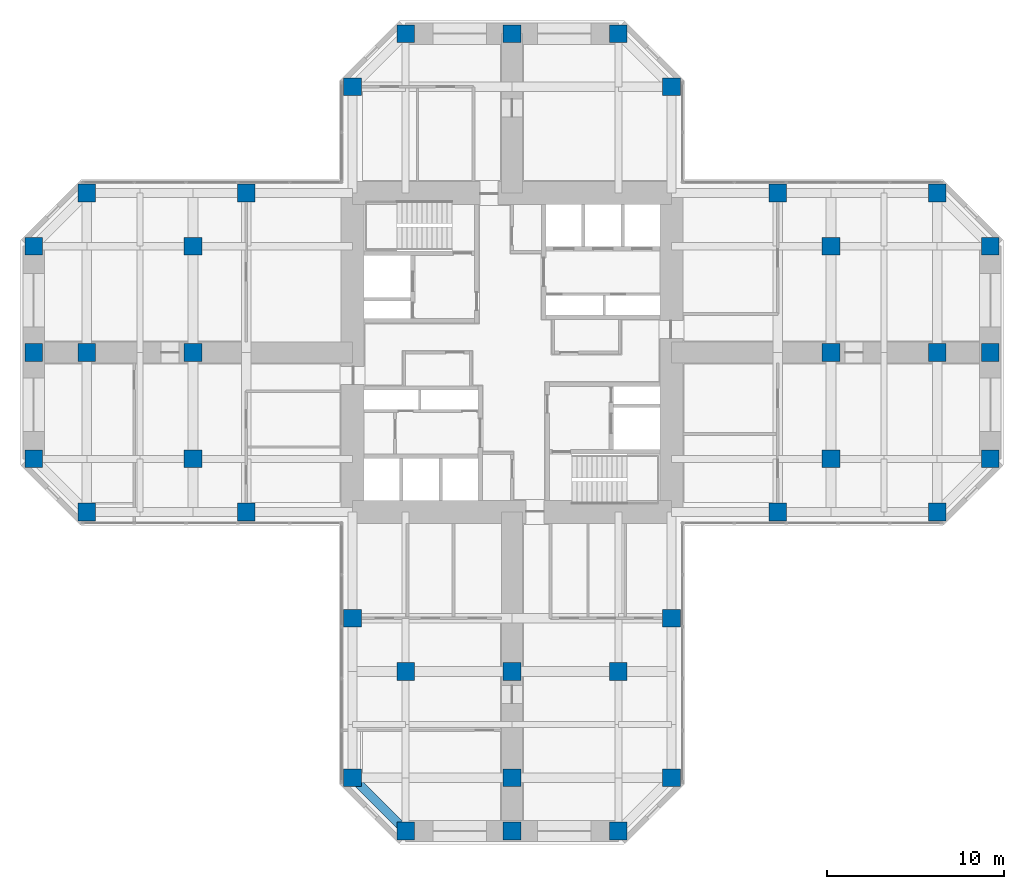
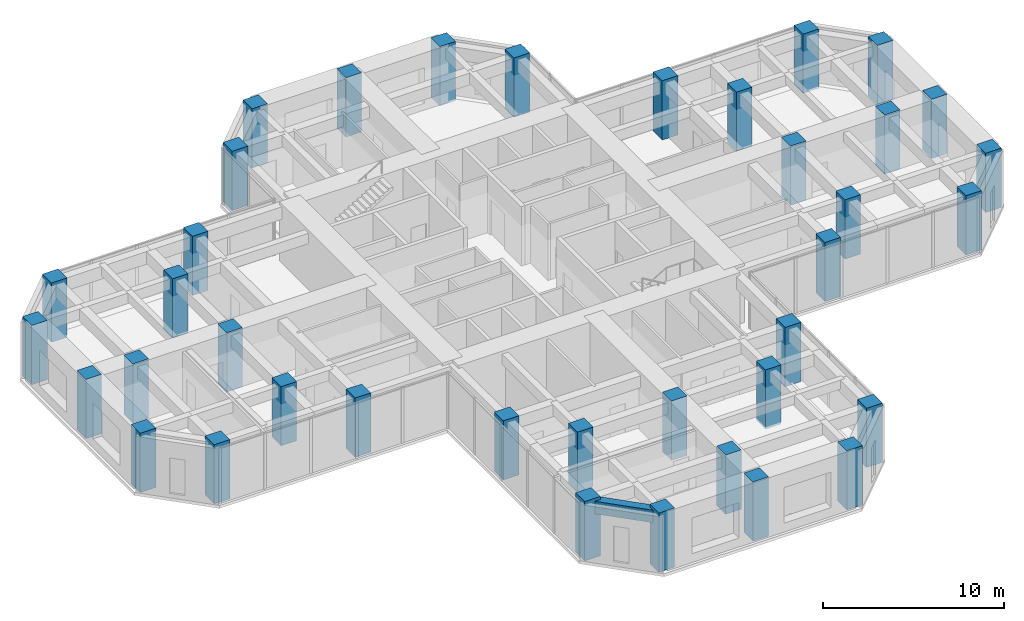
# One storey, part 1 of 12: 38 columns, 1 beam.
"""IFC4 building model written with IfcOpenShell, lengths in metres."""

from ifc_helpers import new_model, si_unit, direction, frame, origin, origin_2d, place, context, subcontext, project, spatial, rectangle, extrude, material, material_profile, profile_set, type_object, element, save


model = new_model("IFC4")

# Units and contexts
model_context = context("Model", 3, precision=1e-05, world=origin(), true_north=direction((0.0, 1.0)))
body_context = subcontext(model_context, "Body", "Model", "MODEL_VIEW")
ifc_project = project(units=[si_unit("LENGTHUNIT", "METRE"), si_unit("AREAUNIT", "SQUARE_METRE"), si_unit("VOLUMEUNIT", "CUBIC_METRE"), si_unit("PLANEANGLEUNIT", "RADIAN"), si_unit("MASSUNIT", "GRAM", prefix="KILO")], contexts=[model_context])

# Site, building, storey
site_placement = place(None, origin())
site = spatial("IfcSite", under=ifc_project, at=site_placement, CompositionType="ELEMENT")
building_placement = place(site_placement, origin())
building = spatial("IfcBuilding", under=site, at=building_placement, Name="Torre Cruceta", CompositionType="ELEMENT")
storey_placement = place(building_placement, frame((0.0, 0.0, 140.5)))
storey = spatial("IfcBuildingStorey", under=building, at=storey_placement, Name="L34", CompositionType="ELEMENT", Elevation=140.5)

# Columns
ifc_material_1 = material(Name="Concrete G60 (fck 60 MPa)", Category="concrete")
ifc_material_profile_1 = material_profile(ifc_material_1, rectangle(XDim=1.0, YDim=1.0, at=origin_2d()), Name="RC 1000X1000")
ifc_profile_set_1 = profile_set([ifc_material_profile_1], Name="Concrete G60 (fck 60 MPa)")
column_type = type_object("IfcColumnType", Name="COLUMN RC 1000X1000", PredefinedType="COLUMN", material=ifc_profile_set_1)
for number, where, z_axis, x_axis, name in (
    (1, (9.0, 15.0, 0.0), (0.0, 0.0, 1.0), (1.0, 0.0, 0.0), "C5 L34 N chamfer"),
    (2, (-9.0, 15.0, 0.0), (0.0, 0.0, 1.0), (1.0, 0.0, 0.0), "C5 L34 N chamfer"),
    (3, (6.0, 18.0, 0.0), (0.0, 0.0, 1.0), (1.0, 0.0, 0.0), "C5 L34 N tip"),
    (4, (0.0, 18.0, 0.0), (0.0, 0.0, 1.0), (1.0, 0.0, 0.0), "C5 L34 N tip"),
    (5, (-6.0, 18.0, 0.0), (0.0, 0.0, 1.0), (1.0, 0.0, 0.0), "C5 L34 N tip"),
    (6, (15.0, -9.0, 0.0), (0.0, 0.0, 1.0), (1.0, 0.0, 0.0), "C5 L34 E side"),
    (7, (24.0, -9.0, 0.0), (0.0, 0.0, 1.0), (1.0, 0.0, 0.0), "C5 L34 E chamfer"),
    (8, (15.0, 9.0, 0.0), (0.0, 0.0, 1.0), (1.0, 0.0, 0.0), "C5 L34 E side"),
    (9, (24.0, 9.0, 0.0), (0.0, 0.0, 1.0), (1.0, 0.0, 0.0), "C5 L34 E chamfer"),
    (10, (27.0, -6.0, 0.0), (0.0, 0.0, 1.0), (1.0, 0.0, 0.0), "C5 L34 E tip"),
    (11, (27.0, 0.0, 0.0), (0.0, 0.0, 1.0), (1.0, 0.0, 0.0), "C5 L34 E tip"),
    (12, (27.0, 6.0, 0.0), (0.0, 0.0, 1.0), (1.0, 0.0, 0.0), "C5 L34 E tip"),
    (13, (-9.0, -15.0, 0.0), (0.0, 0.0, 1.0), (1.0, 0.0, 0.0), "C5 L34 S side"),
    (14, (-9.0, -24.0, 0.0), (0.0, 0.0, 1.0), (1.0, 0.0, 0.0), "C5 L34 S chamfer"),
    (15, (9.0, -15.0, 0.0), (0.0, 0.0, 1.0), (1.0, 0.0, 0.0), "C5 L34 S side"),
    (16, (9.0, -24.0, 0.0), (0.0, 0.0, 1.0), (1.0, 0.0, 0.0), "C5 L34 S chamfer"),
    (17, (-6.0, -27.0, 0.0), (0.0, 0.0, 1.0), (1.0, 0.0, 0.0), "C5 L34 S tip"),
    (18, (0.0, -27.0, 0.0), (0.0, 0.0, 1.0), (1.0, 0.0, 0.0), "C5 L34 S tip"),
    (19, (6.0, -27.0, 0.0), (0.0, 0.0, 1.0), (1.0, 0.0, 0.0), "C5 L34 S tip"),
    (20, (-15.0, 9.0, 0.0), (0.0, 0.0, 1.0), (1.0, 0.0, 0.0), "C5 L34 W side"),
    (21, (-24.0, 9.0, 0.0), (0.0, 0.0, 1.0), (1.0, 0.0, 0.0), "C5 L34 W chamfer"),
    (22, (-15.0, -9.0, 0.0), (0.0, 0.0, 1.0), (1.0, 0.0, 0.0), "C5 L34 W side"),
    (23, (-24.0, -9.0, 0.0), (0.0, 0.0, 1.0), (1.0, 0.0, 0.0), "C5 L34 W chamfer"),
    (24, (-27.0, 6.0, 0.0), (0.0, 0.0, 1.0), (1.0, 0.0, 0.0), "C5 L34 W tip"),
    (25, (-27.0, 0.0, 0.0), (0.0, 0.0, 1.0), (1.0, 0.0, 0.0), "C5 L34 W tip"),
    (26, (-27.0, -6.0, 0.0), (0.0, 0.0, 1.0), (1.0, 0.0, 0.0), "C5 L34 W tip"),
    (27, (18.0, -6.0, 0.0), (0.0, 0.0, 1.0), (1.0, 0.0, 0.0), "C5 L34 E interior"),
    (28, (18.0, 0.0, 0.0), (0.0, 0.0, 1.0), (1.0, 0.0, 0.0), "C5 L34 E interior"),
    (29, (18.0, 6.0, 0.0), (0.0, 0.0, 1.0), (1.0, 0.0, 0.0), "C5 L34 E interior"),
    (30, (24.0, 0.0, 0.0), (0.0, 0.0, 1.0), (1.0, 0.0, 0.0), "C5 L34 E interior"),
    (31, (-6.0, -18.0, 0.0), (0.0, 0.0, 1.0), (1.0, 0.0, 0.0), "C5 L34 S interior"),
    (32, (0.0, -18.0, 0.0), (0.0, 0.0, 1.0), (1.0, 0.0, 0.0), "C5 L34 S interior"),
    (33, (6.0, -18.0, 0.0), (0.0, 0.0, 1.0), (1.0, 0.0, 0.0), "C5 L34 S interior"),
    (34, (0.0, -24.0, 0.0), (0.0, 0.0, 1.0), (1.0, 0.0, 0.0), "C5 L34 S interior"),
    (35, (-18.0, 6.0, 0.0), (0.0, 0.0, 1.0), (1.0, 0.0, 0.0), "C5 L34 W interior"),
    (36, (-18.0, 0.0, 0.0), (0.0, 0.0, 1.0), (1.0, 0.0, 0.0), "C5 L34 W interior"),
    (37, (-18.0, -6.0, 0.0), (0.0, 0.0, 1.0), (1.0, 0.0, 0.0), "C5 L34 W interior"),
    (38, (-24.0, 0.0, 0.0), (0.0, 0.0, 1.0), (1.0, 0.0, 0.0), "C5 L34 W interior"),
):
    element("IfcColumn", number, at=place(storey_placement, frame(where, z_axis=z_axis, x_axis=x_axis)), inside=storey, type_object=column_type, Name=name, PredefinedType="COLUMN", context=body_context, shape_type="SweptSolid", body=[
        extrude(rectangle(XDim=1.0, YDim=1.0, at=origin_2d()), origin(), (0.0, 0.0, 1.0), 4.0),
    ])

# Beam
ifc_material_2 = material(Name="Concrete G60 (fck 60 MPa)", Category="concrete")
ifc_material_profile_2 = material_profile(ifc_material_2, rectangle(XDim=0.5, YDim=0.85009765625, at=origin_2d()), Name="RC 500X850")
ifc_profile_set_2 = profile_set([ifc_material_profile_2], Name="Concrete G60 (fck 60 MPa)")
beam_type = type_object("IfcBeamType", Name="SPANDREL BEAM RC 500X850", PredefinedType="SPANDREL", material=ifc_profile_set_2)
beam_placement = place(storey_placement, frame((-9.0, -24.0, 3.375), z_axis=(0.707106781187, -0.707106781187, 0.0), x_axis=(0.707106781187, 0.707106781187, 0.0)))
element("IfcBeam", 39, at=beam_placement, inside=storey, type_object=beam_type, Name="SB5 L34 S side- 5", PredefinedType="SPANDREL", context=body_context, shape_type="SweptSolid", body=[
    extrude(rectangle(XDim=0.5, YDim=0.85009765625, at=origin_2d()), origin(), (0.0, 0.0, 1.0), 4.24267578125),
])

save(model, "model.ifc")
